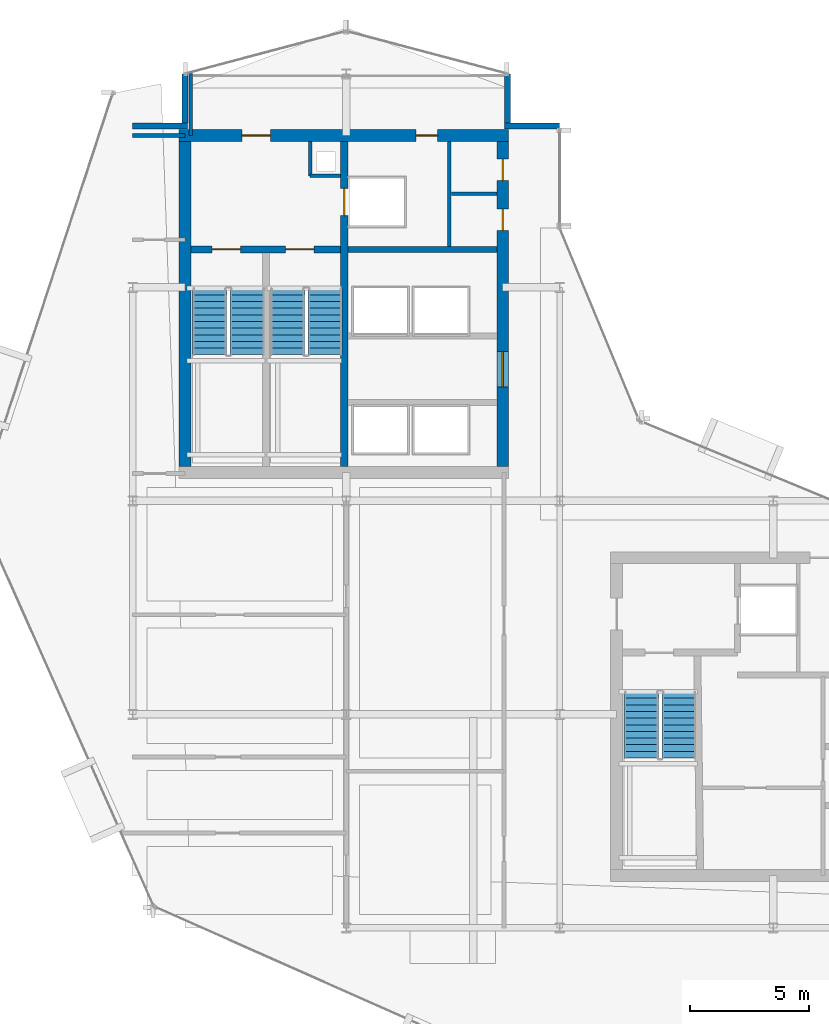
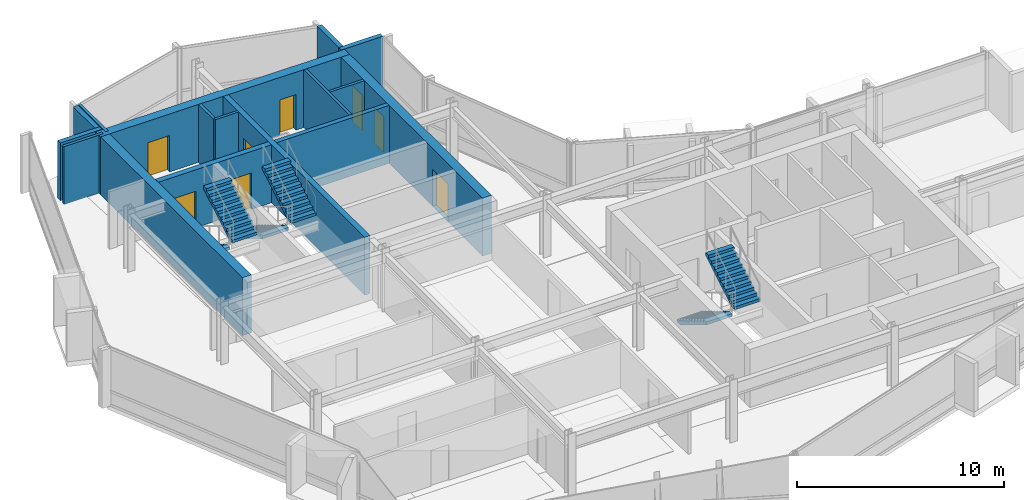
# One storey, part 21 of 27: 16 walls, 8 doors, 6 stair flights, 8 openings, 3 elements without a shape of their own.
"""IFC4 building model written with IfcOpenShell, lengths in metres."""

from ifc_helpers import new_model, si_unit, direction, frame, frame_2d, origin, place, context, subcontext, project, spatial, polyline, rectangle, outline, extrude, material, layer, layer_set, type_object, element, fill, aggregate, save


model = new_model("IFC4")

# Units and contexts
model_context = context("Model", 3, precision=1e-05, world=origin(), true_north=direction((0.0, 1.0)))
body_context = subcontext(model_context, "Body", "Model", "MODEL_VIEW")
ifc_project = project(units=[si_unit("LENGTHUNIT", "METRE"), si_unit("AREAUNIT", "SQUARE_METRE"), si_unit("VOLUMEUNIT", "CUBIC_METRE"), si_unit("PLANEANGLEUNIT", "RADIAN"), si_unit("MASSUNIT", "GRAM", prefix="KILO")], contexts=[model_context])

# Site, building, storey
site_placement = place(None, origin())
site = spatial("IfcSite", under=ifc_project, at=site_placement, CompositionType="ELEMENT")
building_placement = place(site_placement, origin())
building = spatial("IfcBuilding", under=site, at=building_placement, Name="Solvaryn Broadcast Tower", CompositionType="ELEMENT")
storey_placement = place(building_placement, frame((0.0, 0.0, 185.300048828125)))
storey = spatial("IfcBuildingStorey", under=building, at=storey_placement, Name="L46", CompositionType="ELEMENT", Elevation=185.300048828125)

# Wall, openings, doors
ifc_material_1 = material(Name="Concrete f'c 70 MPa", Category="concrete")
ifc_layer_1 = layer(ifc_material_1, 0.5)
ifc_layer_set_1 = layer_set([ifc_layer_1], Name="CW-SHEAR-500")
wall_type_1 = type_object("IfcWallType", Name="CW-SHEAR-500", PredefinedType="SHEAR", material=ifc_layer_set_1)
wall_1_placement = place(storey_placement, frame((24.85009765625, 42.39990234375, 0.0), z_axis=(0.0, 0.0, 1.0), x_axis=(-1.0, 0.0, 0.0)))
wall_1 = element("IfcWall", 1, at=wall_1_placement, inside=storey, type_object=wall_type_1, Name="L46 West Core North Shear Wall", PredefinedType="SHEAR", context=body_context, shape_type="SweptSolid", body=[
    extrude(rectangle(XDim=13.900146484375, YDim=0.5, at=frame_2d((6.9501953125, 0.0))), origin(), (0.0, 0.0, 1.0), 3.419921875),
])
opening_1_placement = place(wall_1_placement, frame((10.050048828125, 0.0, 0.0)))
opening_1 = element("IfcOpeningElement", 2, at=opening_1_placement, cuts=wall_1, Name="Opening FD90A", PredefinedType="OPENING", context=body_context, shape_type="SweptSolid", body=[
    extrude(rectangle(XDim=1.199951171875, YDim=2.14990234375, at=frame_2d((0.60009765625, 1.074951171875))), frame((0.0, 0.260009765625, 0.0), z_axis=(0.0, -1.0, 0.0), x_axis=(1.0, 0.0, 0.0)), (0.0, 0.0, 1.0), 0.52001953125),
])
opening_2_placement = place(wall_1_placement, frame((3.0, 0.0, 0.0)))
opening_2 = element("IfcOpeningElement", 3, at=opening_2_placement, cuts=wall_1, Name="Opening FD60C", PredefinedType="OPENING", context=body_context, shape_type="SweptSolid", body=[
    extrude(rectangle(XDim=0.89990234375, YDim=2.10009765625, at=frame_2d((0.449951171875, 1.050048828125))), frame((0.0, 0.260009765625, 0.0), z_axis=(0.0, -1.0, 0.0), x_axis=(1.0, 0.0, 0.0)), (0.0, 0.0, 1.0), 0.52001953125),
])
ifc_material_2 = material(Name="Flush Acoustic Steel and Timber Door Assembly", Category="steel")
door_type_1 = type_object("IfcDoorType", Name="FD60-SERV-900X2100", OperationType="NOTDEFINED", PredefinedType="DOOR", material=ifc_material_2)
door_1_placement = place(opening_2_placement, origin())
door_1 = element("IfcDoor", 4, at=door_1_placement, inside=storey, type_object=door_type_1, Name="L46 West Core Fiber Riser Door", OperationType="SINGLE_SWING_RIGHT", OverallHeight=2.10009765625, OverallWidth=0.89990234375, PredefinedType="DOOR", context=body_context, shape_type="SweptSolid", body=[
    extrude(rectangle(XDim=0.89990234375, YDim=2.10009765625, at=frame_2d((0.449951171875, 1.050048828125))), frame((0.0, 0.02490234375, 0.0), z_axis=(0.0, -1.0, 0.0), x_axis=(1.0, 0.0, 0.0)), (0.0, 0.0, 1.0), 0.050048828125),
])
fill(opening_2, door_1)
ifc_material_3 = material(Name="Flush Acoustic Steel and Timber Door Assembly", Category="steel")
door_type_2 = type_object("IfcDoorType", Name="FD90-STAIR-1200X2150", OperationType="NOTDEFINED", PredefinedType="DOOR", material=ifc_material_3)
door_2_placement = place(opening_1_placement, origin())
door_2 = element("IfcDoor", 5, at=door_2_placement, inside=storey, type_object=door_type_2, Name="L46 West FSAE Lobby Corridor Door", OperationType="SINGLE_SWING_LEFT", OverallHeight=2.14990234375, OverallWidth=1.199951171875, PredefinedType="DOOR", context=body_context, shape_type="SweptSolid", body=[
    extrude(rectangle(XDim=1.199951171875, YDim=2.14990234375, at=frame_2d((0.60009765625, 1.074951171875))), frame((0.0, 0.02490234375, 0.0), z_axis=(0.0, -1.0, 0.0), x_axis=(1.0, 0.0, 0.0)), (0.0, 0.0, 1.0), 0.050048828125),
])
fill(opening_1, door_2)

# Wall
wall_2_placement = place(storey_placement, frame((11.199951171875, 42.14990234375, 0.0), z_axis=(0.0, 0.0, 1.0), x_axis=(0.0, -1.0, 0.0)))
element("IfcWall", 6, at=wall_2_placement, inside=storey, type_object=wall_type_1, Name="L46 West Core West Shear Wall", PredefinedType="SHEAR", context=body_context, shape_type="SweptSolid", body=[
    extrude(rectangle(XDim=13.699951171875, YDim=0.5, at=frame_2d((6.85009765625, 0.0))), origin(), (0.0, 0.0, 1.0), 3.419921875),
])

# Wall, openings, doors
wall_3_placement = place(storey_placement, frame((24.60009765625, 28.449951171875, 0.0), z_axis=(0.0, 0.0, 1.0), x_axis=(0.0, 1.0, 0.0)))
wall_3 = element("IfcWall", 7, at=wall_3_placement, inside=storey, type_object=wall_type_1, Name="L46 West Core East Shear Wall", PredefinedType="SHEAR", context=body_context, shape_type="SweptSolid", body=[
    extrude(rectangle(XDim=13.699951171875, YDim=0.5, at=frame_2d((6.85009765625, 0.0))), origin(), (0.0, 0.0, 1.0), 3.419921875),
])
opening_3_placement = place(wall_3_placement, frame((3.35009765625, 0.0, 0.0)))
opening_3 = element("IfcOpeningElement", 8, at=opening_3_placement, cuts=wall_3, Name="Opening FD60A", PredefinedType="OPENING", context=body_context, shape_type="SweptSolid", body=[
    extrude(rectangle(XDim=1.5, YDim=2.199951171875, at=frame_2d((0.75, 1.10009765625))), frame((0.0, 0.260009765625, 0.0), z_axis=(0.0, -1.0, 0.0), x_axis=(1.0, 0.0, 0.0)), (0.0, 0.0, 1.0), 0.52001953125),
])
opening_4_placement = place(wall_3_placement, frame((9.949951171875, 0.0, 0.0)))
opening_4 = element("IfcOpeningElement", 9, at=opening_4_placement, cuts=wall_3, Name="Opening FD60C", PredefinedType="OPENING", context=body_context, shape_type="SweptSolid", body=[
    extrude(rectangle(XDim=0.89990234375, YDim=2.10009765625, at=frame_2d((0.449951171875, 1.050048828125))), frame((0.0, 0.260009765625, 0.0), z_axis=(0.0, -1.0, 0.0), x_axis=(1.0, 0.0, 0.0)), (0.0, 0.0, 1.0), 0.52001953125),
])
opening_5_placement = place(wall_3_placement, frame((12.050048828125, 0.0, 0.0)))
opening_5 = element("IfcOpeningElement", 10, at=opening_5_placement, cuts=wall_3, Name="Opening FD60C", PredefinedType="OPENING", context=body_context, shape_type="SweptSolid", body=[
    extrude(rectangle(XDim=0.89990234375, YDim=2.10009765625, at=frame_2d((0.449951171875, 1.050048828125))), frame((0.0, 0.260009765625, 0.0), z_axis=(0.0, -1.0, 0.0), x_axis=(1.0, 0.0, 0.0)), (0.0, 0.0, 1.0), 0.52001953125),
])
ifc_material_4 = material(Name="Flush Acoustic Steel and Timber Door Assembly", Category="steel")
door_type_3 = type_object("IfcDoorType", Name="FD60-CORR-1500X2200", OperationType="NOTDEFINED", PredefinedType="DOOR", material=ifc_material_4)
door_3_placement = place(opening_3_placement, origin())
door_3 = element("IfcDoor", 11, at=door_3_placement, inside=storey, type_object=door_type_3, Name="L46 West Elevator Lobby Corridor Door", OperationType="DOUBLE_DOOR_SINGLE_SWING", OverallHeight=2.199951171875, OverallWidth=1.5, PredefinedType="DOOR", context=body_context, shape_type="SweptSolid", body=[
    extrude(rectangle(XDim=1.5, YDim=2.199951171875, at=frame_2d((0.75, 1.10009765625))), frame((0.0, 0.02490234375, 0.0), z_axis=(0.0, -1.0, 0.0), x_axis=(1.0, 0.0, 0.0)), (0.0, 0.0, 1.0), 0.050048828125),
])
fill(opening_3, door_3)
door_4_placement = place(opening_4_placement, origin())
door_4 = element("IfcDoor", 12, at=door_4_placement, inside=storey, type_object=door_type_1, Name="L46 West Core Service Door 1", OperationType="SINGLE_SWING_LEFT", OverallHeight=2.10009765625, OverallWidth=0.89990234375, PredefinedType="DOOR", context=body_context, shape_type="SweptSolid", body=[
    extrude(rectangle(XDim=0.89990234375, YDim=2.10009765625, at=frame_2d((0.449951171875, 1.050048828125))), frame((0.0, 0.02490234375, 0.0), z_axis=(0.0, -1.0, 0.0), x_axis=(1.0, 0.0, 0.0)), (0.0, 0.0, 1.0), 0.050048828125),
])
fill(opening_4, door_4)
door_5_placement = place(opening_5_placement, origin())
door_5 = element("IfcDoor", 13, at=door_5_placement, inside=storey, type_object=door_type_1, Name="L46 West Core Janitor Door", OperationType="SINGLE_SWING_RIGHT", OverallHeight=2.10009765625, OverallWidth=0.89990234375, PredefinedType="DOOR", context=body_context, shape_type="SweptSolid", body=[
    extrude(rectangle(XDim=0.89990234375, YDim=2.10009765625, at=frame_2d((0.449951171875, 1.050048828125))), frame((0.0, 0.02490234375, 0.0), z_axis=(0.0, -1.0, 0.0), x_axis=(1.0, 0.0, 0.0)), (0.0, 0.0, 1.0), 0.050048828125),
])
fill(opening_5, door_5)

# Walls
ifc_material_5 = material(Name="Concrete f'c 50 MPa", Category="concrete")
ifc_layer_2 = layer(ifc_material_5, 0.260009765625)
ifc_layer_set_2 = layer_set([ifc_layer_2], Name="EW-PIER-260")
wall_type_2 = type_object("IfcWallType", Name="EW-PIER-260", PredefinedType="SOLIDWALL", material=ifc_layer_set_2)
wall_4_placement = place(storey_placement, frame((9.0, 42.800048828125, 0.0), z_axis=(0.0, 0.0, 1.0), x_axis=(1.0, 0.0, 0.0)))
element("IfcWall", 14, at=wall_4_placement, inside=storey, type_object=wall_type_2, Name="L46 Notched Corner Pier Wall NNW1", PredefinedType="SOLIDWALL", context=body_context, shape_type="SweptSolid", body=[
    extrude(rectangle(XDim=2.320068359375, YDim=0.260009765625, at=frame_2d((1.16015625, 0.0))), origin(), (0.0, 0.0, 1.0), 3.419921875),
])
for number, where, z_axis, x_axis, name in (
    (15, (11.199951171875, 42.919921875, 0.0), (0.0, 0.0, 1.0), (0.0, 1.0, 0.0), "L46 Notched Corner Pier Wall NNW2"),
    (16, (24.800048828125, 45.0, 0.0), (0.0, 0.0, 1.0), (0.0, -1.0, 0.0), "L46 Notched Corner Pier Wall NNE1"),
):
    element("IfcWall", number, at=place(storey_placement, frame(where, z_axis=z_axis, x_axis=x_axis)), inside=storey, type_object=wall_type_2, Name=name, PredefinedType="SOLIDWALL", context=body_context, shape_type="SweptSolid", body=[
        extrude(rectangle(XDim=2.080078125, YDim=0.260009765625, at=frame_2d((1.0400390625, 0.0))), origin(), (0.0, 0.0, 1.0), 3.419921875),
    ])
wall_5_placement = place(storey_placement, frame((24.679931640625, 42.800048828125, 0.0), z_axis=(0.0, 0.0, 1.0), x_axis=(1.0, 0.0, 0.0)))
element("IfcWall", 17, at=wall_5_placement, inside=storey, type_object=wall_type_2, Name="L46 Notched Corner Pier Wall NNE2", PredefinedType="SOLIDWALL", context=body_context, shape_type="SweptSolid", body=[
    extrude(rectangle(XDim=2.320068359375, YDim=0.260009765625, at=frame_2d((1.16015625, 0.0))), origin(), (0.0, 0.0, 1.0), 3.419921875),
])
ifc_material_6 = material(Name="Metal-Stud Service Core Partition")
ifc_layer_3 = layer(ifc_material_6, 0.14990234375)
ifc_layer_set_3 = layer_set([ifc_layer_3], Name="IW-PART-150")
wall_type_3 = type_object("IfcWallType", Name="IW-PART-150", PredefinedType="PARTITIONING", material=ifc_layer_set_3)
wall_6_placement = place(storey_placement, frame((16.47998046875, 40.699951171875, 0.0), z_axis=(0.0, 0.0, 1.0), x_axis=(1.0, 0.0, 0.0)))
element("IfcWall", 18, at=wall_6_placement, inside=storey, type_object=wall_type_3, Name="L46 West Core Riser Shaft South Wall", PredefinedType="PARTITIONING", context=body_context, shape_type="SweptSolid", body=[
    extrude(rectangle(XDim=1.2900390625, YDim=0.14990234375, at=frame_2d((0.64501953125, 0.0))), origin(), (0.0, 0.0, 1.0), 3.419921875),
])
wall_7_placement = place(storey_placement, frame((16.47998046875, 40.699951171875, 0.0), z_axis=(0.0, 0.0, 1.0), x_axis=(0.0, 1.0, 0.0)))
element("IfcWall", 19, at=wall_7_placement, inside=storey, type_object=wall_type_3, Name="L46 West Core Riser Shaft West Wall", PredefinedType="PARTITIONING", context=body_context, shape_type="SweptSolid", body=[
    extrude(rectangle(XDim=1.449951171875, YDim=0.14990234375, at=frame_2d((0.72509765625, 0.0))), origin(), (0.0, 0.0, 1.0), 3.419921875),
])
wall_8_placement = place(storey_placement, frame((22.35009765625, 37.72998046875, 0.0), z_axis=(0.0, 0.0, 1.0), x_axis=(0.0, 1.0, 0.0)))
element("IfcWall", 20, at=wall_8_placement, inside=storey, type_object=wall_type_3, Name="L46 Interior Partition IW-L46-CWS-V", PredefinedType="PARTITIONING", context=body_context, shape_type="SweptSolid", body=[
    extrude(rectangle(XDim=4.419921875, YDim=0.14990234375, at=frame_2d((2.2099609375, 0.0))), origin(), (0.0, 0.0, 1.0), 3.419921875),
])
wall_9_placement = place(storey_placement, frame((22.429931640625, 39.949951171875, 0.0), z_axis=(0.0, 0.0, 1.0), x_axis=(1.0, 0.0, 0.0)))
element("IfcWall", 21, at=wall_9_placement, inside=storey, type_object=wall_type_3, Name="L46 Interior Partition IW-L46-CWS-H", PredefinedType="PARTITIONING", context=body_context, shape_type="SweptSolid", body=[
    extrude(rectangle(XDim=1.920166015625, YDim=0.14990234375, at=frame_2d((0.9599609375, 0.0))), origin(), (0.0, 0.0, 1.0), 3.419921875),
])
ifc_material_7 = material(Name="Metal-Stud Gypsum Office Partition")
ifc_layer_4 = layer(ifc_material_7, 0.159912109375)
ifc_layer_set_4 = layer_set([ifc_layer_4], Name="IW-PART-160")
wall_type_4 = type_object("IfcWallType", Name="IW-PART-160", PredefinedType="PARTITIONING", material=ifc_layer_set_4)
wall_10_placement = place(storey_placement, frame((9.0, 42.39990234375, 0.0), z_axis=(0.0, 0.0, 1.0), x_axis=(1.0, 0.0, 0.0)))
element("IfcWall", 22, at=wall_10_placement, inside=storey, type_object=wall_type_4, Name="L46 Interior Partition IW-L46-WM-N", PredefinedType="PARTITIONING", context=body_context, shape_type="SweptSolid", body=[
    extrude(rectangle(XDim=2.199951171875, YDim=0.159912109375, at=frame_2d((1.10009765625, 0.0))), origin(), (0.0, 0.0, 1.0), 3.419921875),
])
wall_11_placement = place(storey_placement, frame((11.449951171875, 42.39990234375, 0.0), z_axis=(0.0, 0.0, 1.0), x_axis=(0.0, 1.0, 0.0)))
element("IfcWall", 23, at=wall_11_placement, inside=storey, type_object=wall_type_4, Name="L46 Interior Partition IW-L46-WM-E", PredefinedType="PARTITIONING", context=body_context, shape_type="SweptSolid", body=[
    extrude(rectangle(XDim=2.666015625, YDim=0.159912109375, at=frame_2d((1.3330078125, 0.0))), origin(), (0.0, 0.0, 1.0), 3.419921875),
])
ifc_material_8 = material(Name="Concrete f'c 60 MPa", Category="concrete")
ifc_layer_5 = layer(ifc_material_8, 0.25)
ifc_layer_set_5 = layer_set([ifc_layer_5], Name="SW-SHAFT-250")
wall_type_5 = type_object("IfcWallType", Name="SW-SHAFT-250", PredefinedType="PARTITIONING", material=ifc_layer_set_5)
wall_12_placement = place(storey_placement, frame((18.070068359375, 37.60009765625, 0.0), z_axis=(0.0, 0.0, 1.0), x_axis=(1.0, 0.0, 0.0)))
element("IfcWall", 24, at=wall_12_placement, inside=storey, type_object=wall_type_5, Name="L46 West Core FSAE Hoistway Front Wall", PredefinedType="PARTITIONING", context=body_context, shape_type="SweptSolid", body=[
    extrude(rectangle(XDim=6.280029296875, YDim=0.25, at=frame_2d((3.14013671875, 0.0))), origin(), (0.0, 0.0, 1.0), 3.419921875),
])

# Wall, opening, door
ifc_material_9 = material(Name="Concrete f'c 70 MPa", Category="concrete")
ifc_layer_6 = layer(ifc_material_9, 0.300048828125)
ifc_layer_set_6 = layer_set([ifc_layer_6], Name="SW-SHAFT-300")
wall_type_6 = type_object("IfcWallType", Name="SW-SHAFT-300", PredefinedType="SHEAR", material=ifc_layer_set_6)
wall_13_placement = place(storey_placement, frame((17.919921875, 42.14990234375, 0.0), z_axis=(0.0, 0.0, 1.0), x_axis=(0.0, -1.0, 0.0)))
wall_13 = element("IfcWall", 25, at=wall_13_placement, inside=storey, type_object=wall_type_6, Name="L46 West Core Stair-Lobby Shear Wall", PredefinedType="SHEAR", context=body_context, shape_type="SweptSolid", body=[
    extrude(rectangle(XDim=13.699951171875, YDim=0.300048828125, at=frame_2d((6.85009765625, 0.0))), origin(), (0.0, 0.0, 1.0), 3.419921875),
])
opening_6_placement = place(wall_13_placement, frame((1.97509765625, 0.0, 0.0)))
opening_6 = element("IfcOpeningElement", 26, at=opening_6_placement, cuts=wall_13, Name="Opening LD01", PredefinedType="OPENING", context=body_context, shape_type="SweptSolid", body=[
    extrude(rectangle(XDim=1.14990234375, YDim=2.14990234375, at=frame_2d((0.574951171875, 1.074951171875))), frame((0.0, 0.159912109375, 0.0), z_axis=(0.0, -1.0, 0.0), x_axis=(1.0, 0.0, 0.0)), (0.0, 0.0, 1.0), 0.320068359375),
])
ifc_material_10 = material(Name="Flush Acoustic Steel and Timber Door Assembly", Category="steel")
door_type_4 = type_object("IfcDoorType", Name="LD-LIFT-1150X2150", OperationType="NOTDEFINED", PredefinedType="DOOR", material=ifc_material_10)
door_6_placement = place(opening_6_placement, origin())
door_6 = element("IfcDoor", 27, at=door_6_placement, inside=storey, type_object=door_type_4, Name="L46 FL1 Lift Landing Door", OperationType="DOUBLE_DOOR_SLIDING", OverallHeight=2.14990234375, OverallWidth=1.14990234375, PredefinedType="DOOR", context=body_context, shape_type="SweptSolid", body=[
    extrude(rectangle(XDim=1.14990234375, YDim=2.14990234375, at=frame_2d((0.574951171875, 1.074951171875))), frame((0.0, 0.02490234375, 0.0), z_axis=(0.0, -1.0, 0.0), x_axis=(1.0, 0.0, 0.0)), (0.0, 0.0, 1.0), 0.050048828125),
])
fill(opening_6, door_6)

# Wall, openings, doors
wall_14_placement = place(storey_placement, frame((17.77001953125, 37.60009765625, 0.0), z_axis=(0.0, 0.0, 1.0), x_axis=(-1.0, 0.0, 0.0)))
wall_14 = element("IfcWall", 28, at=wall_14_placement, inside=storey, type_object=wall_type_6, Name="L46 West Core FSAE Lobby South Wall", PredefinedType="SHEAR", context=body_context, shape_type="SweptSolid", body=[
    extrude(rectangle(XDim=6.320068359375, YDim=0.300048828125, at=frame_2d((3.16015625, 0.0))), origin(), (0.0, 0.0, 1.0), 3.419921875),
])
opening_7_placement = place(wall_14_placement, frame((4.219970703125, 0.0, 0.0)))
opening_7 = element("IfcOpeningElement", 29, at=opening_7_placement, cuts=wall_14, Name="Opening FD90A", PredefinedType="OPENING", context=body_context, shape_type="SweptSolid", body=[
    extrude(rectangle(XDim=1.199951171875, YDim=2.14990234375, at=frame_2d((0.60009765625, 1.074951171875))), frame((0.0, 0.159912109375, 0.0), z_axis=(0.0, -1.0, 0.0), x_axis=(1.0, 0.0, 0.0)), (0.0, 0.0, 1.0), 0.320068359375),
])
opening_8_placement = place(wall_14_placement, frame((1.1201171875, 0.0, 0.0)))
opening_8 = element("IfcOpeningElement", 30, at=opening_8_placement, cuts=wall_14, Name="Opening FD90A", PredefinedType="OPENING", context=body_context, shape_type="SweptSolid", body=[
    extrude(rectangle(XDim=1.199951171875, YDim=2.14990234375, at=frame_2d((0.60009765625, 1.074951171875))), frame((0.0, 0.159912109375, 0.0), z_axis=(0.0, -1.0, 0.0), x_axis=(1.0, 0.0, 0.0)), (0.0, 0.0, 1.0), 0.320068359375),
])
door_7_placement = place(opening_7_placement, origin())
door_7 = element("IfcDoor", 31, at=door_7_placement, inside=storey, type_object=door_type_2, Name="L46 Stair 1 Fire Door", OperationType="SINGLE_SWING_LEFT", OverallHeight=2.14990234375, OverallWidth=1.199951171875, PredefinedType="DOOR", context=body_context, shape_type="SweptSolid", body=[
    extrude(rectangle(XDim=1.199951171875, YDim=2.14990234375, at=frame_2d((0.60009765625, 1.074951171875))), frame((0.0, 0.02490234375, 0.0), z_axis=(0.0, -1.0, 0.0), x_axis=(1.0, 0.0, 0.0)), (0.0, 0.0, 1.0), 0.050048828125),
])
fill(opening_7, door_7)
door_8_placement = place(opening_8_placement, origin())
door_8 = element("IfcDoor", 32, at=door_8_placement, inside=storey, type_object=door_type_2, Name="L46 Stair 2 Fire Door", OperationType="SINGLE_SWING_RIGHT", OverallHeight=2.14990234375, OverallWidth=1.199951171875, PredefinedType="DOOR", context=body_context, shape_type="SweptSolid", body=[
    extrude(rectangle(XDim=1.199951171875, YDim=2.14990234375, at=frame_2d((0.60009765625, 1.074951171875))), frame((0.0, 0.02490234375, 0.0), z_axis=(0.0, -1.0, 0.0), x_axis=(1.0, 0.0, 0.0)), (0.0, 0.0, 1.0), 0.050048828125),
])
fill(opening_8, door_8)

# Stair, stair flights
ifc_material_11 = material(Name="Concrete f'c 60 MPa", Category="concrete")
stair_type = type_object("IfcStairType", Name="ST-CORE", PredefinedType="HALF_TURN_STAIR", material=ifc_material_11)
stair_1_placement = place(storey_placement, origin())
stair_1 = element("IfcStair", 33, at=stair_1_placement, inside=storey, type_object=stair_type, Name="L46 ST1", PredefinedType="HALF_TURN_STAIR")
ifc_material_12 = material(Name="Concrete f'c 60 MPa", Category="concrete")
ifc_layer_7 = layer(ifc_material_12, 0.159912109375)
ifc_layer_set_7 = layer_set([ifc_layer_7], Name="SF-CORE")
stair_flight_type = type_object("IfcStairFlightType", Name="SF-CORE", PredefinedType="STRAIGHT", material=ifc_layer_set_7)
stair_flight_1_placement = place(storey_placement, frame((12.239990234375, 35.9599609375, 0.0), z_axis=(0.0, 0.0, 1.0), x_axis=(0.0, -1.0, 0.0)))
stair_flight_1 = element("IfcStairFlight", 34, at=stair_flight_1_placement, type_object=stair_flight_type, Name="ST1 flight 1", NumberOfRisers=11, NumberOfTreads=10, PredefinedType="STRAIGHT", RiserHeight=0.168181818, TreadLength=0.28, context=body_context, shape_type="SweptSolid", body=[
    extrude(outline(polyline([(0.0, 0.0), (0.0, 0.168212890625), (0.280029296875, 0.168212890625), (0.280029296875, 0.33642578125), (0.56005859375, 0.33642578125), (0.56005859375, 0.504638671875), (0.840087890625, 0.504638671875), (0.840087890625, 0.672607421875), (1.1201171875, 0.672607421875), (1.1201171875, 0.8408203125), (1.39990234375, 0.8408203125), (1.39990234375, 1.009033203125), (1.679931640625, 1.009033203125), (1.679931640625, 1.17724609375), (1.9599609375, 1.17724609375), (1.9599609375, 1.345458984375), (2.239990234375, 1.345458984375), (2.239990234375, 1.513671875), (2.52001953125, 1.513671875), (2.52001953125, 1.681884765625), (2.800048828125, 1.681884765625), (2.800048828125, 1.85009765625), (2.800048828125, 1.5068359375), (0.291015625, 0.0), (0.0, 0.0)])), frame((0.0, 0.719970703125, 0.0), z_axis=(0.0, -1.0, 0.0), x_axis=(1.0, 0.0, 0.0)), (0.0, 0.0, 1.0), 1.43994140625),
])
stair_flight_2_placement = place(storey_placement, frame((13.830078125, 33.159912109375, 1.849853515625), z_axis=(0.0, 0.0, 1.0), x_axis=(0.0, 1.0, 0.0)))
stair_flight_2 = element("IfcStairFlight", 35, at=stair_flight_2_placement, type_object=stair_flight_type, Name="ST1 flight 2", NumberOfRisers=11, NumberOfTreads=10, PredefinedType="STRAIGHT", RiserHeight=0.168181818, TreadLength=0.28, context=body_context, shape_type="SweptSolid", body=[
    extrude(outline(polyline([(0.0, 0.0), (0.0, 0.168212890625), (0.280029296875, 0.168212890625), (0.280029296875, 0.33642578125), (0.56005859375, 0.33642578125), (0.56005859375, 0.504638671875), (0.840087890625, 0.504638671875), (0.840087890625, 0.672607421875), (1.1201171875, 0.672607421875), (1.1201171875, 0.8408203125), (1.39990234375, 0.8408203125), (1.39990234375, 1.009033203125), (1.679931640625, 1.009033203125), (1.679931640625, 1.17724609375), (1.9599609375, 1.17724609375), (1.9599609375, 1.345458984375), (2.239990234375, 1.345458984375), (2.239990234375, 1.513671875), (2.52001953125, 1.513671875), (2.52001953125, 1.681884765625), (2.800048828125, 1.681884765625), (2.800048828125, 1.85009765625), (2.800048828125, 1.5068359375), (0.291015625, 0.0), (0.0, 0.0)])), frame((0.0, 0.719970703125, 0.0), z_axis=(0.0, -1.0, 0.0), x_axis=(1.0, 0.0, 0.0)), (0.0, 0.0, 1.0), 1.43994140625),
])
aggregate(stair_1, [stair_flight_1, stair_flight_2])

stair_2_placement = place(storey_placement, origin())
stair_2 = element("IfcStair", 36, at=stair_2_placement, inside=storey, type_object=stair_type, Name="L46 ST2", PredefinedType="HALF_TURN_STAIR")
stair_flight_3_placement = place(storey_placement, frame((15.52001953125, 35.9599609375, 0.0), z_axis=(0.0, 0.0, 1.0), x_axis=(0.0, -1.0, 0.0)))
stair_flight_3 = element("IfcStairFlight", 37, at=stair_flight_3_placement, type_object=stair_flight_type, Name="ST2 flight 1", NumberOfRisers=11, NumberOfTreads=10, PredefinedType="STRAIGHT", RiserHeight=0.168181818, TreadLength=0.28, context=body_context, shape_type="SweptSolid", body=[
    extrude(outline(polyline([(0.0, 0.0), (0.0, 0.168212890625), (0.280029296875, 0.168212890625), (0.280029296875, 0.33642578125), (0.56005859375, 0.33642578125), (0.56005859375, 0.504638671875), (0.840087890625, 0.504638671875), (0.840087890625, 0.672607421875), (1.1201171875, 0.672607421875), (1.1201171875, 0.8408203125), (1.39990234375, 0.8408203125), (1.39990234375, 1.009033203125), (1.679931640625, 1.009033203125), (1.679931640625, 1.17724609375), (1.9599609375, 1.17724609375), (1.9599609375, 1.345458984375), (2.239990234375, 1.345458984375), (2.239990234375, 1.513671875), (2.52001953125, 1.513671875), (2.52001953125, 1.681884765625), (2.800048828125, 1.681884765625), (2.800048828125, 1.85009765625), (2.800048828125, 1.5068359375), (0.291015625, 0.0), (0.0, 0.0)])), frame((0.0, 0.719970703125, 0.0), z_axis=(0.0, -1.0, 0.0), x_axis=(1.0, 0.0, 0.0)), (0.0, 0.0, 1.0), 1.43994140625),
])
stair_flight_4_placement = place(storey_placement, frame((17.110107421875, 33.159912109375, 1.849853515625), z_axis=(0.0, 0.0, 1.0), x_axis=(0.0, 1.0, 0.0)))
stair_flight_4 = element("IfcStairFlight", 38, at=stair_flight_4_placement, type_object=stair_flight_type, Name="ST2 flight 2", NumberOfRisers=11, NumberOfTreads=10, PredefinedType="STRAIGHT", RiserHeight=0.168181818, TreadLength=0.28, context=body_context, shape_type="SweptSolid", body=[
    extrude(outline(polyline([(0.0, 0.0), (0.0, 0.168212890625), (0.280029296875, 0.168212890625), (0.280029296875, 0.33642578125), (0.56005859375, 0.33642578125), (0.56005859375, 0.504638671875), (0.840087890625, 0.504638671875), (0.840087890625, 0.672607421875), (1.1201171875, 0.672607421875), (1.1201171875, 0.8408203125), (1.39990234375, 0.8408203125), (1.39990234375, 1.009033203125), (1.679931640625, 1.009033203125), (1.679931640625, 1.17724609375), (1.9599609375, 1.17724609375), (1.9599609375, 1.345458984375), (2.239990234375, 1.345458984375), (2.239990234375, 1.513671875), (2.52001953125, 1.513671875), (2.52001953125, 1.681884765625), (2.800048828125, 1.681884765625), (2.800048828125, 1.85009765625), (2.800048828125, 1.5068359375), (0.291015625, 0.0), (0.0, 0.0)])), frame((0.0, 0.719970703125, 0.0), z_axis=(0.0, -1.0, 0.0), x_axis=(1.0, 0.0, 0.0)), (0.0, 0.0, 1.0), 1.43994140625),
])
aggregate(stair_2, [stair_flight_3, stair_flight_4])

stair_3_placement = place(storey_placement, origin())
stair_3 = element("IfcStair", 39, at=stair_3_placement, inside=storey, type_object=stair_type, Name="L46 ST3", PredefinedType="HALF_TURN_STAIR")
stair_flight_5_placement = place(storey_placement, frame((30.43994140625, 18.9599609375, 0.0), z_axis=(0.0, 0.0, 1.0), x_axis=(0.0, -1.0, 0.0)))
stair_flight_5 = element("IfcStairFlight", 40, at=stair_flight_5_placement, type_object=stair_flight_type, Name="ST3 flight 1", NumberOfRisers=11, NumberOfTreads=10, PredefinedType="STRAIGHT", RiserHeight=0.168181818, TreadLength=0.28, context=body_context, shape_type="SweptSolid", body=[
    extrude(outline(polyline([(0.0, 0.0), (0.0, 0.168212890625), (0.280029296875, 0.168212890625), (0.280029296875, 0.33642578125), (0.56005859375, 0.33642578125), (0.56005859375, 0.504638671875), (0.840087890625, 0.504638671875), (0.840087890625, 0.672607421875), (1.1201171875, 0.672607421875), (1.1201171875, 0.8408203125), (1.39990234375, 0.8408203125), (1.39990234375, 1.009033203125), (1.679931640625, 1.009033203125), (1.679931640625, 1.17724609375), (1.9599609375, 1.17724609375), (1.9599609375, 1.345458984375), (2.239990234375, 1.345458984375), (2.239990234375, 1.513671875), (2.52001953125, 1.513671875), (2.52001953125, 1.681884765625), (2.800048828125, 1.681884765625), (2.800048828125, 1.85009765625), (2.800048828125, 1.5068359375), (0.291015625, 0.0), (0.0, 0.0)])), frame((0.0, 0.719970703125, 0.0), z_axis=(0.0, -1.0, 0.0), x_axis=(1.0, 0.0, 0.0)), (0.0, 0.0, 1.0), 1.43994140625),
])
stair_flight_6_placement = place(storey_placement, frame((32.030029296875, 16.159912109375, 1.849853515625), z_axis=(0.0, 0.0, 1.0), x_axis=(0.0, 1.0, 0.0)))
stair_flight_6 = element("IfcStairFlight", 41, at=stair_flight_6_placement, type_object=stair_flight_type, Name="ST3 flight 2", NumberOfRisers=11, NumberOfTreads=10, PredefinedType="STRAIGHT", RiserHeight=0.168181818, TreadLength=0.28, context=body_context, shape_type="SweptSolid", body=[
    extrude(outline(polyline([(0.0, 0.0), (0.0, 0.168212890625), (0.280029296875, 0.168212890625), (0.280029296875, 0.33642578125), (0.56005859375, 0.33642578125), (0.56005859375, 0.504638671875), (0.840087890625, 0.504638671875), (0.840087890625, 0.672607421875), (1.1201171875, 0.672607421875), (1.1201171875, 0.8408203125), (1.39990234375, 0.8408203125), (1.39990234375, 1.009033203125), (1.679931640625, 1.009033203125), (1.679931640625, 1.17724609375), (1.9599609375, 1.17724609375), (1.9599609375, 1.345458984375), (2.239990234375, 1.345458984375), (2.239990234375, 1.513671875), (2.52001953125, 1.513671875), (2.52001953125, 1.681884765625), (2.800048828125, 1.681884765625), (2.800048828125, 1.85009765625), (2.800048828125, 1.5068359375), (0.291015625, 0.0), (0.0, 0.0)])), frame((0.0, 0.719970703125, 0.0), z_axis=(0.0, -1.0, 0.0), x_axis=(1.0, 0.0, 0.0)), (0.0, 0.0, 1.0), 1.43994140625),
])
aggregate(stair_3, [stair_flight_5, stair_flight_6])

save(model, "model.ifc")
